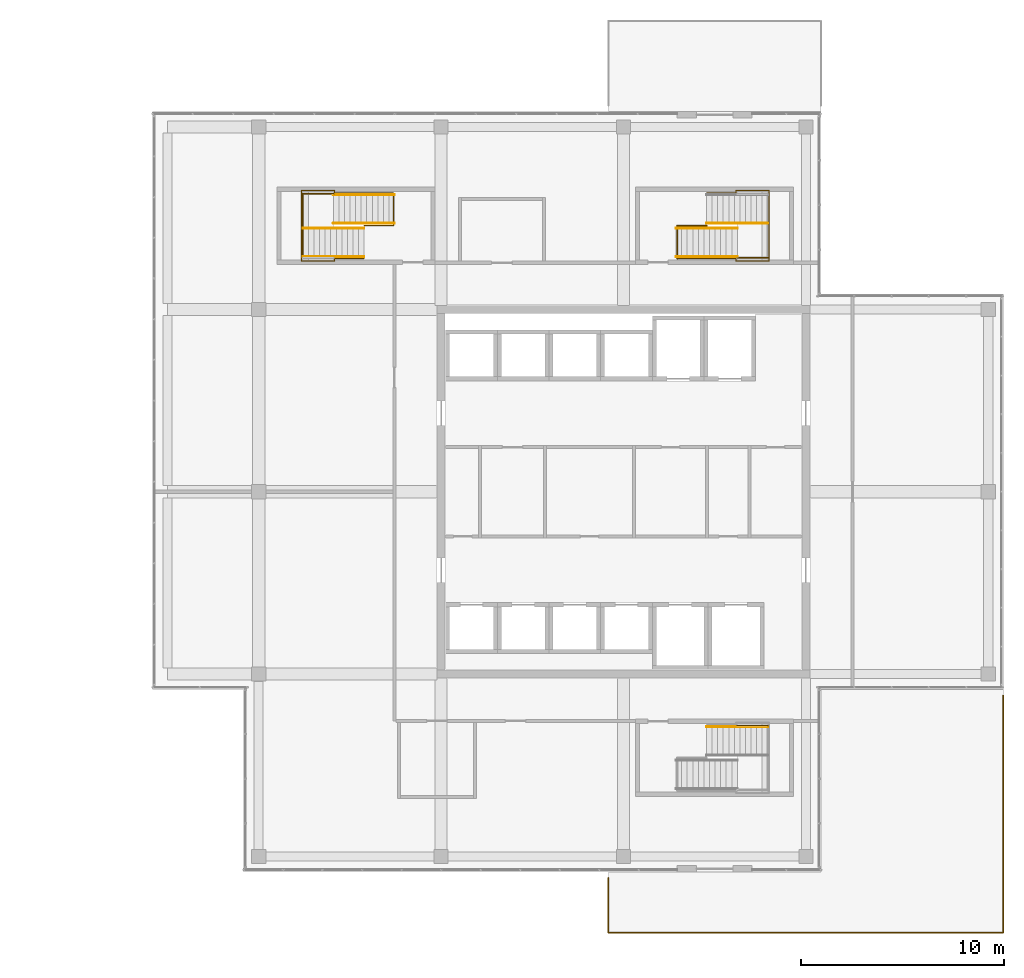
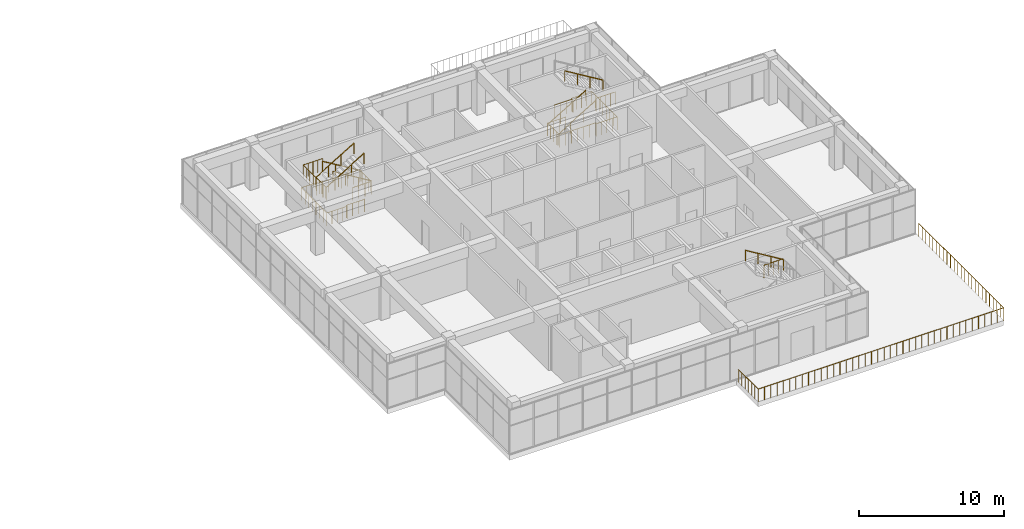
# One storey, part 48 of 49: 18 railings.
"""IFC4 building model written with IfcOpenShell, lengths in metres."""

from ifc_helpers import new_model, si_unit, direction, frame, origin, origin_2d, place, context, subcontext, project, spatial, circle, extrude, material, type_object, element, save


model = new_model("IFC4")

# Units and contexts
model_context = context("Model", 3, precision=1e-05, world=origin(), true_north=direction((0.0, 1.0)))
body_context = subcontext(model_context, "Body", "Model", "MODEL_VIEW")
ifc_project = project(units=[si_unit("LENGTHUNIT", "METRE"), si_unit("AREAUNIT", "SQUARE_METRE"), si_unit("VOLUMEUNIT", "CUBIC_METRE"), si_unit("PLANEANGLEUNIT", "RADIAN"), si_unit("MASSUNIT", "GRAM", prefix="KILO")], contexts=[model_context])

# Site, building, storey
site_placement = place(None, origin())
site = spatial("IfcSite", under=ifc_project, at=site_placement, CompositionType="ELEMENT")
building_placement = place(site_placement, origin())
building = spatial("IfcBuilding", under=site, at=building_placement, Name="Tuart Plaza Theatre", CompositionType="ELEMENT")
storey_placement = place(building_placement, frame((0.0, 0.0, 29.5)))
storey = spatial("IfcBuildingStorey", under=building, at=storey_placement, Name="L07", CompositionType="ELEMENT", Elevation=29.5)

# Railings
ifc_material_1 = material(Name="Steel Grade C350L0", Category="steel")
railing_type_1 = type_object("IfcRailingType", Name="RAILING Guard 1100", PredefinedType="GUARDRAIL", material=ifc_material_1)
railing_1_placement = place(storey_placement, frame((150.75, 52.25, 0.0)))
element("IfcRailing", 1, at=railing_1_placement, inside=storey, type_object=railing_type_1, Name="GR186", PredefinedType="GUARDRAIL", context=body_context, shape_type="SweptSolid", body=[
    extrude(circle(Radius=0.02490234375, at=origin_2d()), frame((0.0, 0.0, 1.0751953125), z_axis=(-1.0, 0.0, 0.0), x_axis=(0.0, -1.0, 0.0)), (0.0, 0.0, 1.0), 19.5),
    extrude(circle(Radius=0.02490234375, at=origin_2d()), frame((-19.5, 0.0, 1.0751953125), z_axis=(0.0, 1.0, 0.0), x_axis=(-1.0, 0.0, 0.0)), (0.0, 0.0, 1.0), 2.699951171875),
    extrude(circle(Radius=0.02001953125, at=origin_2d()), origin(), (0.0, 0.0, 1.0), 1.050048828125),
    extrude(circle(Radius=0.02001953125, at=origin_2d()), frame((-0.5, 0.0, 0.0)), (0.0, 0.0, 1.0), 1.050048828125),
    extrude(circle(Radius=0.02001953125, at=origin_2d()), frame((-1.0, 0.0, 0.0)), (0.0, 0.0, 1.0), 1.050048828125),
    extrude(circle(Radius=0.02001953125, at=origin_2d()), frame((-1.5, 0.0, 0.0)), (0.0, 0.0, 1.0), 1.050048828125),
    extrude(circle(Radius=0.02001953125, at=origin_2d()), frame((-2.0, 0.0, 0.0)), (0.0, 0.0, 1.0), 1.050048828125),
    extrude(circle(Radius=0.02001953125, at=origin_2d()), frame((-2.5, 0.0, 0.0)), (0.0, 0.0, 1.0), 1.050048828125),
    extrude(circle(Radius=0.02001953125, at=origin_2d()), frame((-3.0, 0.0, 0.0)), (0.0, 0.0, 1.0), 1.050048828125),
    extrude(circle(Radius=0.02001953125, at=origin_2d()), frame((-3.5, 0.0, 0.0)), (0.0, 0.0, 1.0), 1.050048828125),
    extrude(circle(Radius=0.02001953125, at=origin_2d()), frame((-4.0, 0.0, 0.0)), (0.0, 0.0, 1.0), 1.050048828125),
    extrude(circle(Radius=0.02001953125, at=origin_2d()), frame((-4.5, 0.0, 0.0)), (0.0, 0.0, 1.0), 1.050048828125),
    extrude(circle(Radius=0.02001953125, at=origin_2d()), frame((-5.0, 0.0, 0.0)), (0.0, 0.0, 1.0), 1.050048828125),
    extrude(circle(Radius=0.02001953125, at=origin_2d()), frame((-5.5, 0.0, 0.0)), (0.0, 0.0, 1.0), 1.050048828125),
    extrude(circle(Radius=0.02001953125, at=origin_2d()), frame((-6.0, 0.0, 0.0)), (0.0, 0.0, 1.0), 1.050048828125),
    extrude(circle(Radius=0.02001953125, at=origin_2d()), frame((-6.5, 0.0, 0.0)), (0.0, 0.0, 1.0), 1.050048828125),
    extrude(circle(Radius=0.02001953125, at=origin_2d()), frame((-7.0, 0.0, 0.0)), (0.0, 0.0, 1.0), 1.050048828125),
    extrude(circle(Radius=0.02001953125, at=origin_2d()), frame((-7.5, 0.0, 0.0)), (0.0, 0.0, 1.0), 1.050048828125),
    extrude(circle(Radius=0.02001953125, at=origin_2d()), frame((-8.0, 0.0, 0.0)), (0.0, 0.0, 1.0), 1.050048828125),
    extrude(circle(Radius=0.02001953125, at=origin_2d()), frame((-8.5, 0.0, 0.0)), (0.0, 0.0, 1.0), 1.050048828125),
    extrude(circle(Radius=0.02001953125, at=origin_2d()), frame((-9.0, 0.0, 0.0)), (0.0, 0.0, 1.0), 1.050048828125),
    extrude(circle(Radius=0.02001953125, at=origin_2d()), frame((-9.5, 0.0, 0.0)), (0.0, 0.0, 1.0), 1.050048828125),
    extrude(circle(Radius=0.02001953125, at=origin_2d()), frame((-10.0, 0.0, 0.0)), (0.0, 0.0, 1.0), 1.050048828125),
    extrude(circle(Radius=0.02001953125, at=origin_2d()), frame((-10.5, 0.0, 0.0)), (0.0, 0.0, 1.0), 1.050048828125),
    extrude(circle(Radius=0.02001953125, at=origin_2d()), frame((-11.0, 0.0, 0.0)), (0.0, 0.0, 1.0), 1.050048828125),
    extrude(circle(Radius=0.02001953125, at=origin_2d()), frame((-11.5, 0.0, 0.0)), (0.0, 0.0, 1.0), 1.050048828125),
    extrude(circle(Radius=0.02001953125, at=origin_2d()), frame((-12.0, 0.0, 0.0)), (0.0, 0.0, 1.0), 1.050048828125),
    extrude(circle(Radius=0.02001953125, at=origin_2d()), frame((-12.5, 0.0, 0.0)), (0.0, 0.0, 1.0), 1.050048828125),
    extrude(circle(Radius=0.02001953125, at=origin_2d()), frame((-13.0, 0.0, 0.0)), (0.0, 0.0, 1.0), 1.050048828125),
    extrude(circle(Radius=0.02001953125, at=origin_2d()), frame((-13.5, 0.0, 0.0)), (0.0, 0.0, 1.0), 1.050048828125),
    extrude(circle(Radius=0.02001953125, at=origin_2d()), frame((-14.0, 0.0, 0.0)), (0.0, 0.0, 1.0), 1.050048828125),
    extrude(circle(Radius=0.02001953125, at=origin_2d()), frame((-14.5, 0.0, 0.0)), (0.0, 0.0, 1.0), 1.050048828125),
    extrude(circle(Radius=0.02001953125, at=origin_2d()), frame((-15.0, 0.0, 0.0)), (0.0, 0.0, 1.0), 1.050048828125),
    extrude(circle(Radius=0.02001953125, at=origin_2d()), frame((-15.5, 0.0, 0.0)), (0.0, 0.0, 1.0), 1.050048828125),
    extrude(circle(Radius=0.02001953125, at=origin_2d()), frame((-16.0, 0.0, 0.0)), (0.0, 0.0, 1.0), 1.050048828125),
    extrude(circle(Radius=0.02001953125, at=origin_2d()), frame((-16.5, 0.0, 0.0)), (0.0, 0.0, 1.0), 1.050048828125),
    extrude(circle(Radius=0.02001953125, at=origin_2d()), frame((-17.0, 0.0, 0.0)), (0.0, 0.0, 1.0), 1.050048828125),
    extrude(circle(Radius=0.02001953125, at=origin_2d()), frame((-17.5, 0.0, 0.0)), (0.0, 0.0, 1.0), 1.050048828125),
    extrude(circle(Radius=0.02001953125, at=origin_2d()), frame((-18.0, 0.0, 0.0)), (0.0, 0.0, 1.0), 1.050048828125),
    extrude(circle(Radius=0.02001953125, at=origin_2d()), frame((-18.5, 0.0, 0.0)), (0.0, 0.0, 1.0), 1.050048828125),
    extrude(circle(Radius=0.02001953125, at=origin_2d()), frame((-19.0, 0.0, 0.0)), (0.0, 0.0, 1.0), 1.050048828125),
    extrude(circle(Radius=0.02001953125, at=origin_2d()), frame((-19.5, 0.0, 0.0)), (0.0, 0.0, 1.0), 1.050048828125),
    extrude(circle(Radius=0.02001953125, at=origin_2d()), frame((-19.5, 0.449951171875, 0.0)), (0.0, 0.0, 1.0), 1.050048828125),
    extrude(circle(Radius=0.02001953125, at=origin_2d()), frame((-19.5, 0.89990234375, 0.0)), (0.0, 0.0, 1.0), 1.050048828125),
    extrude(circle(Radius=0.02001953125, at=origin_2d()), frame((-19.5, 1.35009765625, 0.0)), (0.0, 0.0, 1.0), 1.050048828125),
    extrude(circle(Radius=0.02001953125, at=origin_2d()), frame((-19.5, 1.800048828125, 0.0)), (0.0, 0.0, 1.0), 1.050048828125),
    extrude(circle(Radius=0.02001953125, at=origin_2d()), frame((-19.5, 2.25, 0.0)), (0.0, 0.0, 1.0), 1.050048828125),
    extrude(circle(Radius=0.02001953125, at=origin_2d()), frame((-19.5, 2.699951171875, 0.0)), (0.0, 0.0, 1.0), 1.050048828125),
])
railing_2_placement = place(storey_placement, frame((150.75, 63.949951171875, 0.0)))
element("IfcRailing", 2, at=railing_2_placement, inside=storey, type_object=railing_type_1, Name="GR187", PredefinedType="GUARDRAIL", context=body_context, shape_type="SweptSolid", body=[
    extrude(circle(Radius=0.02490234375, at=origin_2d()), frame((0.0, 0.0, 1.0751953125), z_axis=(0.0, -1.0, 0.0), x_axis=(1.0, 0.0, 0.0)), (0.0, 0.0, 1.0), 11.699951171875),
    extrude(circle(Radius=0.02001953125, at=origin_2d()), origin(), (0.0, 0.0, 1.0), 1.050048828125),
    extrude(circle(Radius=0.02001953125, at=origin_2d()), frame((0.0, -0.487548828125, 0.0)), (0.0, 0.0, 1.0), 1.050048828125),
    extrude(circle(Radius=0.02001953125, at=origin_2d()), frame((0.0, -0.97509765625, 0.0)), (0.0, 0.0, 1.0), 1.050048828125),
    extrude(circle(Radius=0.02001953125, at=origin_2d()), frame((0.0, -1.46240234375, 0.0)), (0.0, 0.0, 1.0), 1.050048828125),
    extrude(circle(Radius=0.02001953125, at=origin_2d()), frame((0.0, -1.949951171875, 0.0)), (0.0, 0.0, 1.0), 1.050048828125),
    extrude(circle(Radius=0.02001953125, at=origin_2d()), frame((0.0, -2.4375, 0.0)), (0.0, 0.0, 1.0), 1.050048828125),
    extrude(circle(Radius=0.02001953125, at=origin_2d()), frame((0.0, -2.925048828125, 0.0)), (0.0, 0.0, 1.0), 1.050048828125),
    extrude(circle(Radius=0.02001953125, at=origin_2d()), frame((0.0, -3.41259765625, 0.0)), (0.0, 0.0, 1.0), 1.050048828125),
    extrude(circle(Radius=0.02001953125, at=origin_2d()), frame((0.0, -3.89990234375, 0.0)), (0.0, 0.0, 1.0), 1.050048828125),
    extrude(circle(Radius=0.02001953125, at=origin_2d()), frame((0.0, -4.387451171875, 0.0)), (0.0, 0.0, 1.0), 1.050048828125),
    extrude(circle(Radius=0.02001953125, at=origin_2d()), frame((0.0, -4.875, 0.0)), (0.0, 0.0, 1.0), 1.050048828125),
    extrude(circle(Radius=0.02001953125, at=origin_2d()), frame((0.0, -5.362548828125, 0.0)), (0.0, 0.0, 1.0), 1.050048828125),
    extrude(circle(Radius=0.02001953125, at=origin_2d()), frame((0.0, -5.85009765625, 0.0)), (0.0, 0.0, 1.0), 1.050048828125),
    extrude(circle(Radius=0.02001953125, at=origin_2d()), frame((0.0, -6.33740234375, 0.0)), (0.0, 0.0, 1.0), 1.050048828125),
    extrude(circle(Radius=0.02001953125, at=origin_2d()), frame((0.0, -6.824951171875, 0.0)), (0.0, 0.0, 1.0), 1.050048828125),
    extrude(circle(Radius=0.02001953125, at=origin_2d()), frame((0.0, -7.3125, 0.0)), (0.0, 0.0, 1.0), 1.050048828125),
    extrude(circle(Radius=0.02001953125, at=origin_2d()), frame((0.0, -7.800048828125, 0.0)), (0.0, 0.0, 1.0), 1.050048828125),
    extrude(circle(Radius=0.02001953125, at=origin_2d()), frame((0.0, -8.287353515625, 0.0)), (0.0, 0.0, 1.0), 1.050048828125),
    extrude(circle(Radius=0.02001953125, at=origin_2d()), frame((0.0, -8.77490234375, 0.0)), (0.0, 0.0, 1.0), 1.050048828125),
    extrude(circle(Radius=0.02001953125, at=origin_2d()), frame((0.0, -9.262451171875, 0.0)), (0.0, 0.0, 1.0), 1.050048828125),
    extrude(circle(Radius=0.02001953125, at=origin_2d()), frame((0.0, -9.75, 0.0)), (0.0, 0.0, 1.0), 1.050048828125),
    extrude(circle(Radius=0.02001953125, at=origin_2d()), frame((0.0, -10.237548828125, 0.0)), (0.0, 0.0, 1.0), 1.050048828125),
    extrude(circle(Radius=0.02001953125, at=origin_2d()), frame((0.0, -10.724853515625, 0.0)), (0.0, 0.0, 1.0), 1.050048828125),
    extrude(circle(Radius=0.02001953125, at=origin_2d()), frame((0.0, -11.21240234375, 0.0)), (0.0, 0.0, 1.0), 1.050048828125),
    extrude(circle(Radius=0.02001953125, at=origin_2d()), frame((0.0, -11.699951171875, 0.0)), (0.0, 0.0, 1.0), 1.050048828125),
])
railing_3_placement = place(storey_placement, frame((139.1298828125, 62.449951171875, 2.0)))
element("IfcRailing", 3, at=railing_3_placement, inside=storey, type_object=railing_type_1, Name="GR238", PredefinedType="GUARDRAIL", context=body_context, shape_type="SweptSolid", body=[
    extrude(circle(Radius=0.02490234375, at=origin_2d()), frame((0.0, 0.0, 1.0751953125), z_axis=(-1.0, 0.0, 0.0), x_axis=(0.0, -1.0, 0.0)), (0.0, 0.0, 1.0), 1.52978515625),
    extrude(circle(Radius=0.02001953125, at=origin_2d()), origin(), (0.0, 0.0, 1.0), 1.050048828125),
    extrude(circle(Radius=0.02001953125, at=origin_2d()), frame((-0.38232421875, 0.0, 0.0)), (0.0, 0.0, 1.0), 1.050048828125),
    extrude(circle(Radius=0.02001953125, at=origin_2d()), frame((-0.764892578125, 0.0, 0.0)), (0.0, 0.0, 1.0), 1.050048828125),
    extrude(circle(Radius=0.02001953125, at=origin_2d()), frame((-1.1474609375, 0.0, 0.0)), (0.0, 0.0, 1.0), 1.050048828125),
    extrude(circle(Radius=0.02001953125, at=origin_2d()), frame((-1.52978515625, 0.0, 0.0)), (0.0, 0.0, 1.0), 1.050048828125),
])
railing_4_placement = place(storey_placement, frame((134.655029296875, 85.5, 0.0)))
element("IfcRailing", 4, at=railing_4_placement, inside=storey, type_object=railing_type_1, Name="GR308", PredefinedType="GUARDRAIL", context=body_context, shape_type="SweptSolid", body=[
    extrude(circle(Radius=0.02490234375, at=origin_2d()), frame((0.0, 0.0, 1.0751953125), z_axis=(0.0, 1.0, 0.0), x_axis=(-1.0, 0.0, 0.0)), (0.0, 0.0, 1.0), 1.625),
    extrude(circle(Radius=0.02490234375, at=origin_2d()), frame((0.0, 1.625, 1.0751953125), z_axis=(1.0, 0.0, 0.0), x_axis=(0.0, 1.0, 0.0)), (0.0, 0.0, 1.0), 1.455078125),
    extrude(circle(Radius=0.02001953125, at=origin_2d()), origin(), (0.0, 0.0, 1.0), 1.050048828125),
    extrude(circle(Radius=0.02001953125, at=origin_2d()), frame((0.0, 0.40625, 0.0)), (0.0, 0.0, 1.0), 1.050048828125),
    extrude(circle(Radius=0.02001953125, at=origin_2d()), frame((0.0, 0.8125, 0.0)), (0.0, 0.0, 1.0), 1.050048828125),
    extrude(circle(Radius=0.02001953125, at=origin_2d()), frame((0.0, 1.21875, 0.0)), (0.0, 0.0, 1.0), 1.050048828125),
    extrude(circle(Radius=0.02001953125, at=origin_2d()), frame((0.0, 1.625, 0.0)), (0.0, 0.0, 1.0), 1.050048828125),
    extrude(circle(Radius=0.02001953125, at=origin_2d()), frame((0.485107421875, 1.625, 0.0)), (0.0, 0.0, 1.0), 1.050048828125),
    extrude(circle(Radius=0.02001953125, at=origin_2d()), frame((0.969970703125, 1.625, 0.0)), (0.0, 0.0, 1.0), 1.050048828125),
    extrude(circle(Radius=0.02001953125, at=origin_2d()), frame((1.455078125, 1.625, 0.0)), (0.0, 0.0, 1.0), 1.050048828125),
])
railing_5_placement = place(storey_placement, frame((136.114990234375, 88.705078125, 0.0)))
element("IfcRailing", 5, at=railing_5_placement, inside=storey, type_object=railing_type_1, Name="GR309", PredefinedType="GUARDRAIL", context=body_context, shape_type="SweptSolid", body=[
    extrude(circle(Radius=0.02490234375, at=origin_2d()), frame((0.0, 0.0, 1.0751953125), z_axis=(0.0, 1.0, 0.0), x_axis=(-1.0, 0.0, 0.0)), (0.0, 0.0, 1.0), 0.044921875),
    extrude(circle(Radius=0.02490234375, at=origin_2d()), frame((0.0, 0.044921875, 1.0751953125), z_axis=(1.0, 0.0, 0.0), x_axis=(0.0, 1.0, 0.0)), (0.0, 0.0, 1.0), 1.43505859375),
    extrude(circle(Radius=0.02490234375, at=origin_2d()), frame((1.43505859375, 0.044921875, 1.0751953125), z_axis=(0.0, 1.0, 0.0), x_axis=(-1.0, 0.0, 0.0)), (0.0, 0.0, 1.0), 0.123046875),
    extrude(circle(Radius=0.02490234375, at=origin_2d()), frame((1.43505859375, 0.16796875, 1.0751953125), z_axis=(1.0, 0.0, 0.0), x_axis=(0.0, 1.0, 0.0)), (0.0, 0.0, 1.0), 1.6298828125),
    extrude(circle(Radius=0.02490234375, at=origin_2d()), frame((3.06494140625, 0.16796875, 1.0751953125), z_axis=(0.0, -1.0, 0.0), x_axis=(1.0, 0.0, 0.0)), (0.0, 0.0, 1.0), 3.49609375),
    extrude(circle(Radius=0.02490234375, at=origin_2d()), frame((3.06494140625, -3.328125, 1.0751953125), z_axis=(-1.0, 0.0, 0.0), x_axis=(0.0, -1.0, 0.0)), (0.0, 0.0, 1.0), 1.6298828125),
    extrude(circle(Radius=0.02490234375, at=origin_2d()), frame((1.43505859375, -3.328125, 1.0751953125), z_axis=(0.0, 1.0, 0.0), x_axis=(-1.0, 0.0, 0.0)), (0.0, 0.0, 1.0), 0.123046875),
    extrude(circle(Radius=0.02490234375, at=origin_2d()), frame((1.43505859375, -3.205078125, 1.0751953125), z_axis=(-1.0, 0.0, 0.0), x_axis=(0.0, -1.0, 0.0)), (0.0, 0.0, 1.0), 2.89501953125),
    extrude(circle(Radius=0.02001953125, at=origin_2d()), origin(), (0.0, 0.0, 1.0), 1.050048828125),
    extrude(circle(Radius=0.02001953125, at=origin_2d()), frame((0.0, 0.044921875, 0.0)), (0.0, 0.0, 1.0), 1.050048828125),
    extrude(circle(Radius=0.02001953125, at=origin_2d()), frame((0.478271484375, 0.044921875, 0.0)), (0.0, 0.0, 1.0), 1.050048828125),
    extrude(circle(Radius=0.02001953125, at=origin_2d()), frame((0.956787109375, 0.044921875, 0.0)), (0.0, 0.0, 1.0), 1.050048828125),
    extrude(circle(Radius=0.02001953125, at=origin_2d()), frame((1.43505859375, 0.044921875, 0.0)), (0.0, 0.0, 1.0), 1.050048828125),
    extrude(circle(Radius=0.02001953125, at=origin_2d()), frame((1.43505859375, 0.16796875, 0.0)), (0.0, 0.0, 1.0), 1.050048828125),
    extrude(circle(Radius=0.02001953125, at=origin_2d()), frame((1.842529296875, 0.16796875, 0.0)), (0.0, 0.0, 1.0), 1.050048828125),
    extrude(circle(Radius=0.02001953125, at=origin_2d()), frame((2.25, 0.16796875, 0.0)), (0.0, 0.0, 1.0), 1.050048828125),
    extrude(circle(Radius=0.02001953125, at=origin_2d()), frame((2.657470703125, 0.16796875, 0.0)), (0.0, 0.0, 1.0), 1.050048828125),
    extrude(circle(Radius=0.02001953125, at=origin_2d()), frame((3.06494140625, 0.16796875, 0.0)), (0.0, 0.0, 1.0), 1.050048828125),
    extrude(circle(Radius=0.02001953125, at=origin_2d()), frame((3.06494140625, -0.33154296875, 0.0)), (0.0, 0.0, 1.0), 1.050048828125),
    extrude(circle(Radius=0.02001953125, at=origin_2d()), frame((3.06494140625, -0.830810546875, 0.0)), (0.0, 0.0, 1.0), 1.050048828125),
    extrude(circle(Radius=0.02001953125, at=origin_2d()), frame((3.06494140625, -1.330322265625, 0.0)), (0.0, 0.0, 1.0), 1.050048828125),
    extrude(circle(Radius=0.02001953125, at=origin_2d()), frame((3.06494140625, -1.829833984375, 0.0)), (0.0, 0.0, 1.0), 1.050048828125),
    extrude(circle(Radius=0.02001953125, at=origin_2d()), frame((3.06494140625, -2.329345703125, 0.0)), (0.0, 0.0, 1.0), 1.050048828125),
    extrude(circle(Radius=0.02001953125, at=origin_2d()), frame((3.06494140625, -2.82861328125, 0.0)), (0.0, 0.0, 1.0), 1.050048828125),
    extrude(circle(Radius=0.02001953125, at=origin_2d()), frame((3.06494140625, -3.328125, 0.0)), (0.0, 0.0, 1.0), 1.050048828125),
    extrude(circle(Radius=0.02001953125, at=origin_2d()), frame((2.657470703125, -3.328125, 0.0)), (0.0, 0.0, 1.0), 1.050048828125),
    extrude(circle(Radius=0.02001953125, at=origin_2d()), frame((2.25, -3.328125, 0.0)), (0.0, 0.0, 1.0), 1.050048828125),
    extrude(circle(Radius=0.02001953125, at=origin_2d()), frame((1.842529296875, -3.328125, 0.0)), (0.0, 0.0, 1.0), 1.050048828125),
    extrude(circle(Radius=0.02001953125, at=origin_2d()), frame((1.43505859375, -3.328125, 0.0)), (0.0, 0.0, 1.0), 1.050048828125),
    extrude(circle(Radius=0.02001953125, at=origin_2d()), frame((1.43505859375, -3.205078125, 0.0)), (0.0, 0.0, 1.0), 1.050048828125),
    extrude(circle(Radius=0.02001953125, at=origin_2d()), frame((0.95263671875, -3.205078125, 0.0)), (0.0, 0.0, 1.0), 1.050048828125),
    extrude(circle(Radius=0.02001953125, at=origin_2d()), frame((0.469970703125, -3.205078125, 0.0)), (0.0, 0.0, 1.0), 1.050048828125),
    extrude(circle(Radius=0.02001953125, at=origin_2d()), frame((-0.012451171875, -3.205078125, 0.0)), (0.0, 0.0, 1.0), 1.050048828125),
    extrude(circle(Radius=0.02001953125, at=origin_2d()), frame((-0.494873046875, -3.205078125, 0.0)), (0.0, 0.0, 1.0), 1.050048828125),
    extrude(circle(Radius=0.02001953125, at=origin_2d()), frame((-0.9775390625, -3.205078125, 0.0)), (0.0, 0.0, 1.0), 1.050048828125),
    extrude(circle(Radius=0.02001953125, at=origin_2d()), frame((-1.4599609375, -3.205078125, 0.0)), (0.0, 0.0, 1.0), 1.050048828125),
])
railing_6_placement = place(storey_placement, frame((137.60009765625, 85.550048828125, 2.0)))
element("IfcRailing", 6, at=railing_6_placement, inside=storey, type_object=railing_type_1, Name="GR315", PredefinedType="GUARDRAIL", context=body_context, shape_type="SweptSolid", body=[
    extrude(circle(Radius=0.02490234375, at=origin_2d()), frame((0.0, 0.0, 1.0751953125), z_axis=(1.0, 0.0, 0.0), x_axis=(0.0, 1.0, 0.0)), (0.0, 0.0, 1.0), 1.52978515625),
    extrude(circle(Radius=0.02001953125, at=origin_2d()), origin(), (0.0, 0.0, 1.0), 1.050048828125),
    extrude(circle(Radius=0.02001953125, at=origin_2d()), frame((0.38232421875, 0.0, 0.0)), (0.0, 0.0, 1.0), 1.050048828125),
    extrude(circle(Radius=0.02001953125, at=origin_2d()), frame((0.764892578125, 0.0, 0.0)), (0.0, 0.0, 1.0), 1.050048828125),
    extrude(circle(Radius=0.02001953125, at=origin_2d()), frame((1.1474609375, 0.0, 0.0)), (0.0, 0.0, 1.0), 1.050048828125),
    extrude(circle(Radius=0.02001953125, at=origin_2d()), frame((1.52978515625, 0.0, 0.0)), (0.0, 0.0, 1.0), 1.050048828125),
])
railing_7_placement = place(storey_placement, frame((117.75, 88.75, 0.0)))
element("IfcRailing", 7, at=railing_7_placement, inside=storey, type_object=railing_type_1, Name="GR387", PredefinedType="GUARDRAIL", context=body_context, shape_type="SweptSolid", body=[
    extrude(circle(Radius=0.02490234375, at=origin_2d()), frame((0.0, 0.0, 1.0751953125), z_axis=(1.0, 0.0, 0.0), x_axis=(0.0, 1.0, 0.0)), (0.0, 0.0, 1.0), 2.89501953125),
    extrude(circle(Radius=0.02490234375, at=origin_2d()), frame((2.89501953125, 0.0, 1.0751953125), z_axis=(0.0, -1.0, 0.0), x_axis=(1.0, 0.0, 0.0)), (0.0, 0.0, 1.0), 1.625),
    extrude(circle(Radius=0.02490234375, at=origin_2d()), frame((2.89501953125, -1.625, 1.0751953125), z_axis=(-1.0, 0.0, 0.0), x_axis=(0.0, -1.0, 0.0)), (0.0, 0.0, 1.0), 1.455078125),
    extrude(circle(Radius=0.02001953125, at=origin_2d()), origin(), (0.0, 0.0, 1.0), 1.050048828125),
    extrude(circle(Radius=0.02001953125, at=origin_2d()), frame((0.482421875, 0.0, 0.0)), (0.0, 0.0, 1.0), 1.050048828125),
    extrude(circle(Radius=0.02001953125, at=origin_2d()), frame((0.965087890625, 0.0, 0.0)), (0.0, 0.0, 1.0), 1.050048828125),
    extrude(circle(Radius=0.02001953125, at=origin_2d()), frame((1.447509765625, 0.0, 0.0)), (0.0, 0.0, 1.0), 1.050048828125),
    extrude(circle(Radius=0.02001953125, at=origin_2d()), frame((1.929931640625, 0.0, 0.0)), (0.0, 0.0, 1.0), 1.050048828125),
    extrude(circle(Radius=0.02001953125, at=origin_2d()), frame((2.41259765625, 0.0, 0.0)), (0.0, 0.0, 1.0), 1.050048828125),
    extrude(circle(Radius=0.02001953125, at=origin_2d()), frame((2.89501953125, 0.0, 0.0)), (0.0, 0.0, 1.0), 1.050048828125),
    extrude(circle(Radius=0.02001953125, at=origin_2d()), frame((2.89501953125, -0.40625, 0.0)), (0.0, 0.0, 1.0), 1.050048828125),
    extrude(circle(Radius=0.02001953125, at=origin_2d()), frame((2.89501953125, -0.8125, 0.0)), (0.0, 0.0, 1.0), 1.050048828125),
    extrude(circle(Radius=0.02001953125, at=origin_2d()), frame((2.89501953125, -1.21875, 0.0)), (0.0, 0.0, 1.0), 1.050048828125),
    extrude(circle(Radius=0.02001953125, at=origin_2d()), frame((2.89501953125, -1.625, 0.0)), (0.0, 0.0, 1.0), 1.050048828125),
    extrude(circle(Radius=0.02001953125, at=origin_2d()), frame((2.409912109375, -1.625, 0.0)), (0.0, 0.0, 1.0), 1.050048828125),
    extrude(circle(Radius=0.02001953125, at=origin_2d()), frame((1.925048828125, -1.625, 0.0)), (0.0, 0.0, 1.0), 1.050048828125),
    extrude(circle(Radius=0.02001953125, at=origin_2d()), frame((1.43994140625, -1.625, 0.0)), (0.0, 0.0, 1.0), 1.050048828125),
])
railing_8_placement = place(storey_placement, frame((119.18505859375, 85.544921875, 0.0)))
element("IfcRailing", 8, at=railing_8_placement, inside=storey, type_object=railing_type_1, Name="GR388", PredefinedType="GUARDRAIL", context=body_context, shape_type="SweptSolid", body=[
    extrude(circle(Radius=0.02490234375, at=origin_2d()), frame((0.0, 0.0, 1.0751953125), z_axis=(0.0, -1.0, 0.0), x_axis=(1.0, 0.0, 0.0)), (0.0, 0.0, 1.0), 0.044921875),
    extrude(circle(Radius=0.02490234375, at=origin_2d()), frame((0.0, -0.044921875, 1.0751953125), z_axis=(-1.0, 0.0, 0.0), x_axis=(0.0, -1.0, 0.0)), (0.0, 0.0, 1.0), 1.43505859375),
    extrude(circle(Radius=0.02490234375, at=origin_2d()), frame((-1.43505859375, -0.044921875, 1.0751953125), z_axis=(0.0, -1.0, 0.0), x_axis=(1.0, 0.0, 0.0)), (0.0, 0.0, 1.0), 0.123046875),
    extrude(circle(Radius=0.02490234375, at=origin_2d()), frame((-1.43505859375, -0.16796875, 1.0751953125), z_axis=(-1.0, 0.0, 0.0), x_axis=(0.0, -1.0, 0.0)), (0.0, 0.0, 1.0), 1.6298828125),
    extrude(circle(Radius=0.02490234375, at=origin_2d()), frame((-3.06494140625, -0.16796875, 1.0751953125), z_axis=(0.0, 1.0, 0.0), x_axis=(-1.0, 0.0, 0.0)), (0.0, 0.0, 1.0), 3.49609375),
    extrude(circle(Radius=0.02490234375, at=origin_2d()), frame((-3.06494140625, 3.328125, 1.0751953125), z_axis=(1.0, 0.0, 0.0), x_axis=(0.0, 1.0, 0.0)), (0.0, 0.0, 1.0), 1.6298828125),
    extrude(circle(Radius=0.02490234375, at=origin_2d()), frame((-1.43505859375, 3.328125, 1.0751953125), z_axis=(0.0, -1.0, 0.0), x_axis=(1.0, 0.0, 0.0)), (0.0, 0.0, 1.0), 0.123046875),
    extrude(circle(Radius=0.02001953125, at=origin_2d()), origin(), (0.0, 0.0, 1.0), 1.050048828125),
    extrude(circle(Radius=0.02001953125, at=origin_2d()), frame((0.0, -0.044921875, 0.0)), (0.0, 0.0, 1.0), 1.050048828125),
    extrude(circle(Radius=0.02001953125, at=origin_2d()), frame((-0.478271484375, -0.044921875, 0.0)), (0.0, 0.0, 1.0), 1.050048828125),
    extrude(circle(Radius=0.02001953125, at=origin_2d()), frame((-0.956787109375, -0.044921875, 0.0)), (0.0, 0.0, 1.0), 1.050048828125),
    extrude(circle(Radius=0.02001953125, at=origin_2d()), frame((-1.43505859375, -0.044921875, 0.0)), (0.0, 0.0, 1.0), 1.050048828125),
    extrude(circle(Radius=0.02001953125, at=origin_2d()), frame((-1.43505859375, -0.16796875, 0.0)), (0.0, 0.0, 1.0), 1.050048828125),
    extrude(circle(Radius=0.02001953125, at=origin_2d()), frame((-1.842529296875, -0.16796875, 0.0)), (0.0, 0.0, 1.0), 1.050048828125),
    extrude(circle(Radius=0.02001953125, at=origin_2d()), frame((-2.25, -0.16796875, 0.0)), (0.0, 0.0, 1.0), 1.050048828125),
    extrude(circle(Radius=0.02001953125, at=origin_2d()), frame((-2.657470703125, -0.16796875, 0.0)), (0.0, 0.0, 1.0), 1.050048828125),
    extrude(circle(Radius=0.02001953125, at=origin_2d()), frame((-3.06494140625, -0.16796875, 0.0)), (0.0, 0.0, 1.0), 1.050048828125),
    extrude(circle(Radius=0.02001953125, at=origin_2d()), frame((-3.06494140625, 0.33154296875, 0.0)), (0.0, 0.0, 1.0), 1.050048828125),
    extrude(circle(Radius=0.02001953125, at=origin_2d()), frame((-3.06494140625, 0.830810546875, 0.0)), (0.0, 0.0, 1.0), 1.050048828125),
    extrude(circle(Radius=0.02001953125, at=origin_2d()), frame((-3.06494140625, 1.330322265625, 0.0)), (0.0, 0.0, 1.0), 1.050048828125),
    extrude(circle(Radius=0.02001953125, at=origin_2d()), frame((-3.06494140625, 1.829833984375, 0.0)), (0.0, 0.0, 1.0), 1.050048828125),
    extrude(circle(Radius=0.02001953125, at=origin_2d()), frame((-3.06494140625, 2.329345703125, 0.0)), (0.0, 0.0, 1.0), 1.050048828125),
    extrude(circle(Radius=0.02001953125, at=origin_2d()), frame((-3.06494140625, 2.82861328125, 0.0)), (0.0, 0.0, 1.0), 1.050048828125),
    extrude(circle(Radius=0.02001953125, at=origin_2d()), frame((-3.06494140625, 3.328125, 0.0)), (0.0, 0.0, 1.0), 1.050048828125),
    extrude(circle(Radius=0.02001953125, at=origin_2d()), frame((-2.657470703125, 3.328125, 0.0)), (0.0, 0.0, 1.0), 1.050048828125),
    extrude(circle(Radius=0.02001953125, at=origin_2d()), frame((-2.25, 3.328125, 0.0)), (0.0, 0.0, 1.0), 1.050048828125),
    extrude(circle(Radius=0.02001953125, at=origin_2d()), frame((-1.842529296875, 3.328125, 0.0)), (0.0, 0.0, 1.0), 1.050048828125),
    extrude(circle(Radius=0.02001953125, at=origin_2d()), frame((-1.43505859375, 3.328125, 0.0)), (0.0, 0.0, 1.0), 1.050048828125),
    extrude(circle(Radius=0.02001953125, at=origin_2d()), frame((-1.43505859375, 3.205078125, 0.0)), (0.0, 0.0, 1.0), 1.050048828125),
])
railing_9_placement = place(storey_placement, frame((117.699951171875, 88.699951171875, 2.0)))
element("IfcRailing", 9, at=railing_9_placement, inside=storey, type_object=railing_type_1, Name="GR394", PredefinedType="GUARDRAIL", context=body_context, shape_type="SweptSolid", body=[
    extrude(circle(Radius=0.02490234375, at=origin_2d()), frame((0.0, 0.0, 1.0751953125), z_axis=(-1.0, 0.0, 0.0), x_axis=(0.0, -1.0, 0.0)), (0.0, 0.0, 1.0), 1.530029296875),
    extrude(circle(Radius=0.02001953125, at=origin_2d()), origin(), (0.0, 0.0, 1.0), 1.050048828125),
    extrude(circle(Radius=0.02001953125, at=origin_2d()), frame((-0.382568359375, 0.0, 0.0)), (0.0, 0.0, 1.0), 1.050048828125),
    extrude(circle(Radius=0.02001953125, at=origin_2d()), frame((-0.76513671875, 0.0, 0.0)), (0.0, 0.0, 1.0), 1.050048828125),
    extrude(circle(Radius=0.02001953125, at=origin_2d()), frame((-1.1474609375, 0.0, 0.0)), (0.0, 0.0, 1.0), 1.050048828125),
    extrude(circle(Radius=0.02001953125, at=origin_2d()), frame((-1.530029296875, 0.0, 0.0)), (0.0, 0.0, 1.0), 1.050048828125),
])
railing_10_placement = place(storey_placement, frame((116.169921875, 88.699951171875, 2.0)))
element("IfcRailing", 10, at=railing_10_placement, inside=storey, type_object=railing_type_1, Name="GR395", PredefinedType="GUARDRAIL", context=body_context, shape_type="SweptSolid", body=[
    extrude(circle(Radius=0.02490234375, at=origin_2d()), frame((0.0, 0.0, 1.0751953125), z_axis=(0.0, -1.0, 0.0), x_axis=(1.0, 0.0, 0.0)), (0.0, 0.0, 1.0), 3.14990234375),
    extrude(circle(Radius=0.02001953125, at=origin_2d()), origin(), (0.0, 0.0, 1.0), 1.050048828125),
    extrude(circle(Radius=0.02001953125, at=origin_2d()), frame((0.0, -0.449951171875, 0.0)), (0.0, 0.0, 1.0), 1.050048828125),
    extrude(circle(Radius=0.02001953125, at=origin_2d()), frame((0.0, -0.89990234375, 0.0)), (0.0, 0.0, 1.0), 1.050048828125),
    extrude(circle(Radius=0.02001953125, at=origin_2d()), frame((0.0, -1.349853515625, 0.0)), (0.0, 0.0, 1.0), 1.050048828125),
    extrude(circle(Radius=0.02001953125, at=origin_2d()), frame((0.0, -1.800048828125, 0.0)), (0.0, 0.0, 1.0), 1.050048828125),
    extrude(circle(Radius=0.02001953125, at=origin_2d()), frame((0.0, -2.25, 0.0)), (0.0, 0.0, 1.0), 1.050048828125),
    extrude(circle(Radius=0.02001953125, at=origin_2d()), frame((0.0, -2.699951171875, 0.0)), (0.0, 0.0, 1.0), 1.050048828125),
    extrude(circle(Radius=0.02001953125, at=origin_2d()), frame((0.0, -3.14990234375, 0.0)), (0.0, 0.0, 1.0), 1.050048828125),
])
ifc_material_2 = material(Name="Steel Grade C350L0", Category="steel")
railing_type_2 = type_object("IfcRailingType", Name="RAILING Handrail 900", PredefinedType="HANDRAIL", material=ifc_material_2)
railing_11_placement = place(storey_placement, frame((139.1201171875, 62.39990234375, 2.166748046875)))
element("IfcRailing", 11, at=railing_11_placement, inside=storey, type_object=railing_type_2, Name="HR146", PredefinedType="HANDRAIL", context=body_context, shape_type="SweptSolid", body=[
    extrude(circle(Radius=0.0224609375, at=origin_2d()), frame((0.0, 0.0, 0.87744140625), z_axis=(-0.855219153138, 0.0, 0.518266533848), x_axis=(0.0, -1.0, 0.0)), (0.0, 0.0, 1.0), 3.537353515625),
    extrude(circle(Radius=0.01513671875, at=origin_2d()), origin(), (0.0, 0.0, 1.0), 0.85498046875),
    extrude(circle(Radius=0.01513671875, at=origin_2d()), frame((-1.00830078125, 0.0, 0.611083984375)), (0.0, 0.0, 1.0), 0.85498046875),
    extrude(circle(Radius=0.01513671875, at=origin_2d()), frame((-2.016845703125, 0.0, 1.22216796875)), (0.0, 0.0, 1.0), 0.85498046875),
    extrude(circle(Radius=0.01513671875, at=origin_2d()), frame((-3.025146484375, 0.0, 1.833251953125)), (0.0, 0.0, 1.0), 0.85498046875),
])
for number, where, name in (
    (12, (134.594970703125, 87.0, 0.166748046875), "HR207"),
    (13, (134.594970703125, 85.60009765625, 0.166748046875), "HR208"),
):
    element("IfcRailing", number, at=place(storey_placement, frame(where)), inside=storey, type_object=railing_type_2, Name=name, PredefinedType="HANDRAIL", context=body_context, shape_type="SweptSolid", body=[
        extrude(circle(Radius=0.0224609375, at=origin_2d()), frame((0.0, 0.0, 0.87744140625), z_axis=(0.855219153138, 0.0, 0.518266533848), x_axis=(0.0, 1.0, 0.0)), (0.0, 0.0, 1.0), 3.537353515625),
        extrude(circle(Radius=0.01513671875, at=origin_2d()), origin(), (0.0, 0.0, 1.0), 0.85498046875),
        extrude(circle(Radius=0.01513671875, at=origin_2d()), frame((1.00830078125, 0.0, 0.611083984375)), (0.0, 0.0, 1.0), 0.85498046875),
        extrude(circle(Radius=0.01513671875, at=origin_2d()), frame((2.016845703125, 0.0, 1.22216796875)), (0.0, 0.0, 1.0), 0.85498046875),
        extrude(circle(Radius=0.01513671875, at=origin_2d()), frame((3.025146484375, 0.0, 1.833251953125)), (0.0, 0.0, 1.0), 0.85498046875),
    ])
for number, where, name in (
    (14, (139.1201171875, 87.25, 2.166748046875), "HR209"),
    (15, (120.705078125, 87.25, 0.166748046875), "HR271"),
    (16, (120.705078125, 88.64990234375, 0.166748046875), "HR272"),
):
    element("IfcRailing", number, at=place(storey_placement, frame(where)), inside=storey, type_object=railing_type_2, Name=name, PredefinedType="HANDRAIL", context=body_context, shape_type="SweptSolid", body=[
        extrude(circle(Radius=0.0224609375, at=origin_2d()), frame((0.0, 0.0, 0.87744140625), z_axis=(-0.855219153138, 0.0, 0.518266533848), x_axis=(0.0, -1.0, 0.0)), (0.0, 0.0, 1.0), 3.537353515625),
        extrude(circle(Radius=0.01513671875, at=origin_2d()), origin(), (0.0, 0.0, 1.0), 0.85498046875),
        extrude(circle(Radius=0.01513671875, at=origin_2d()), frame((-1.00830078125, 0.0, 0.611083984375)), (0.0, 0.0, 1.0), 0.85498046875),
        extrude(circle(Radius=0.01513671875, at=origin_2d()), frame((-2.016845703125, 0.0, 1.22216796875)), (0.0, 0.0, 1.0), 0.85498046875),
        extrude(circle(Radius=0.01513671875, at=origin_2d()), frame((-3.025146484375, 0.0, 1.833251953125)), (0.0, 0.0, 1.0), 0.85498046875),
    ])
for number, where, name in (
    (17, (116.179931640625, 87.0, 2.166748046875), "HR273"),
    (18, (116.179931640625, 85.60009765625, 2.166748046875), "HR274"),
):
    element("IfcRailing", number, at=place(storey_placement, frame(where)), inside=storey, type_object=railing_type_2, Name=name, PredefinedType="HANDRAIL", context=body_context, shape_type="SweptSolid", body=[
        extrude(circle(Radius=0.0224609375, at=origin_2d()), frame((0.0, 0.0, 0.87744140625), z_axis=(0.855219153138, 0.0, 0.518266533848), x_axis=(0.0, 1.0, 0.0)), (0.0, 0.0, 1.0), 3.537353515625),
        extrude(circle(Radius=0.01513671875, at=origin_2d()), origin(), (0.0, 0.0, 1.0), 0.85498046875),
        extrude(circle(Radius=0.01513671875, at=origin_2d()), frame((1.00830078125, 0.0, 0.611083984375)), (0.0, 0.0, 1.0), 0.85498046875),
        extrude(circle(Radius=0.01513671875, at=origin_2d()), frame((2.016845703125, 0.0, 1.22216796875)), (0.0, 0.0, 1.0), 0.85498046875),
        extrude(circle(Radius=0.01513671875, at=origin_2d()), frame((3.025146484375, 0.0, 1.833251953125)), (0.0, 0.0, 1.0), 0.85498046875),
    ])

save(model, "model.ifc")
